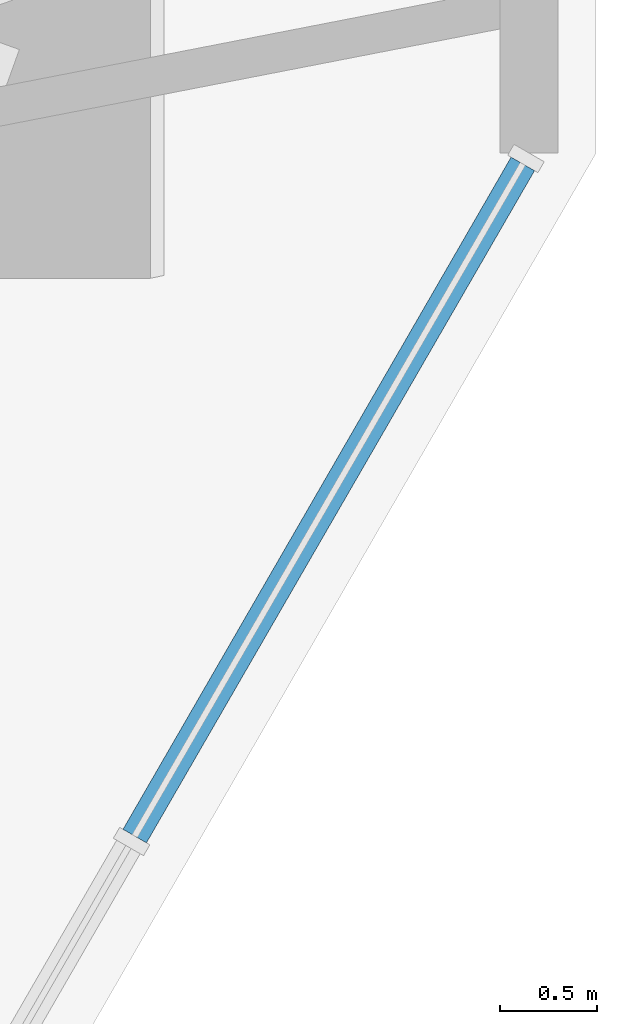
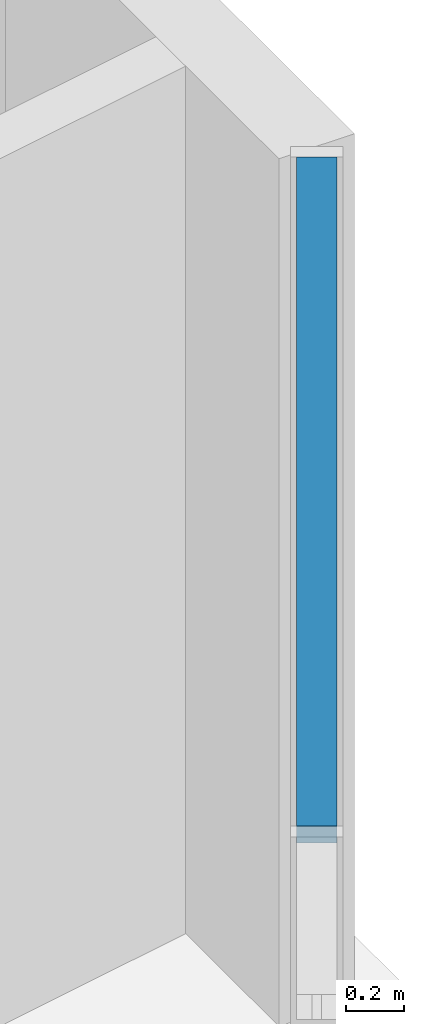
# One storey, part 6 of 17: 1 member, 1 element without a shape of its own.
"""IFC4 building model written with IfcOpenShell, lengths in metres."""

from ifc_helpers import new_model, si_unit, direction, frame, origin, origin_2d, place, context, subcontext, project, spatial, rectangle, extrude, material, material_profile, profile_set, type_object, element, aggregate, save


model = new_model("IFC4")

# Units and contexts
model_context = context("Model", 3, precision=1e-05, world=origin(), true_north=direction((0.0, 1.0)))
body_context = subcontext(model_context, "Body", "Model", "MODEL_VIEW")
ifc_project = project(units=[si_unit("LENGTHUNIT", "METRE"), si_unit("AREAUNIT", "SQUARE_METRE"), si_unit("VOLUMEUNIT", "CUBIC_METRE"), si_unit("PLANEANGLEUNIT", "RADIAN"), si_unit("MASSUNIT", "GRAM", prefix="KILO")], contexts=[model_context])

# Site, building, storey
site_placement = place(None, origin())
site = spatial("IfcSite", under=ifc_project, at=site_placement, CompositionType="ELEMENT")
building_placement = place(site_placement, origin())
building = spatial("IfcBuilding", under=site, at=building_placement, Name="Sandreach Pilgrim Tower", CompositionType="ELEMENT")
storey_placement = place(building_placement, frame((0.0, 0.0, 165.199951171875)))
storey = spatial("IfcBuildingStorey", under=building, at=storey_placement, Name="L41", CompositionType="ELEMENT", Elevation=165.199951171875)

# Curtain wall, member
ifc_material_1 = material(Name="Aluminium framed curtain wall", Category="aluminium")
curtain_wall_type = type_object("IfcCurtainWallType", Name="Hotel tower curtain wall", PredefinedType="NOTDEFINED", material=ifc_material_1)
curtain_wall_placement = place(storey_placement, origin())
curtain_wall = element("IfcCurtainWall", 1, at=curtain_wall_placement, inside=storey, type_object=curtain_wall_type, Name="CW-2 L41 SE", PredefinedType="NOTDEFINED")
ifc_material_2 = material(Name="Aluminium extrusion", Category="aluminium")
ifc_material_profile = material_profile(ifc_material_2, rectangle(XDim=0.139892578125, YDim=0.070068359375, at=origin_2d()), Name="CW-2T 140X70")
ifc_profile_set = profile_set([ifc_material_profile], Name="Aluminium extrusion")
member_type = type_object("IfcMemberType", Name="CW-2 transom", PredefinedType="USERDEFINED", material=ifc_profile_set)
member_placement = place(storey_placement, frame((28.6884765625, 4.7021484375, 3.60498046875), z_axis=(-0.500015851672, -0.866016251624, 0.0), x_axis=(0.866016251624, -0.500015851672, 0.0)))
member = element("IfcMember", 2, at=member_placement, type_object=member_type, Name="CW-2 head transom 1", ObjectType="TRANSOM", PredefinedType="USERDEFINED", context=body_context, shape_type="SweptSolid", body=[
    extrude(rectangle(XDim=0.139892578125, YDim=0.070068359375, at=origin_2d()), origin(), (0.0, 0.0, 1.0), 4.009521484375),
])
aggregate(curtain_wall, [member])

save(model, "model.ifc")
